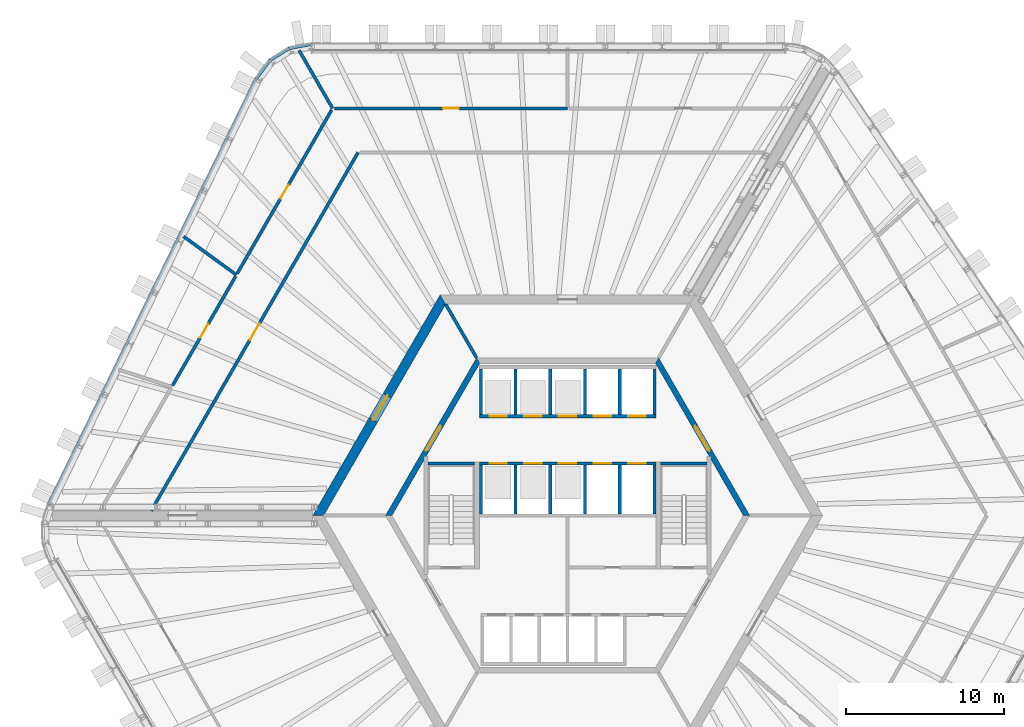
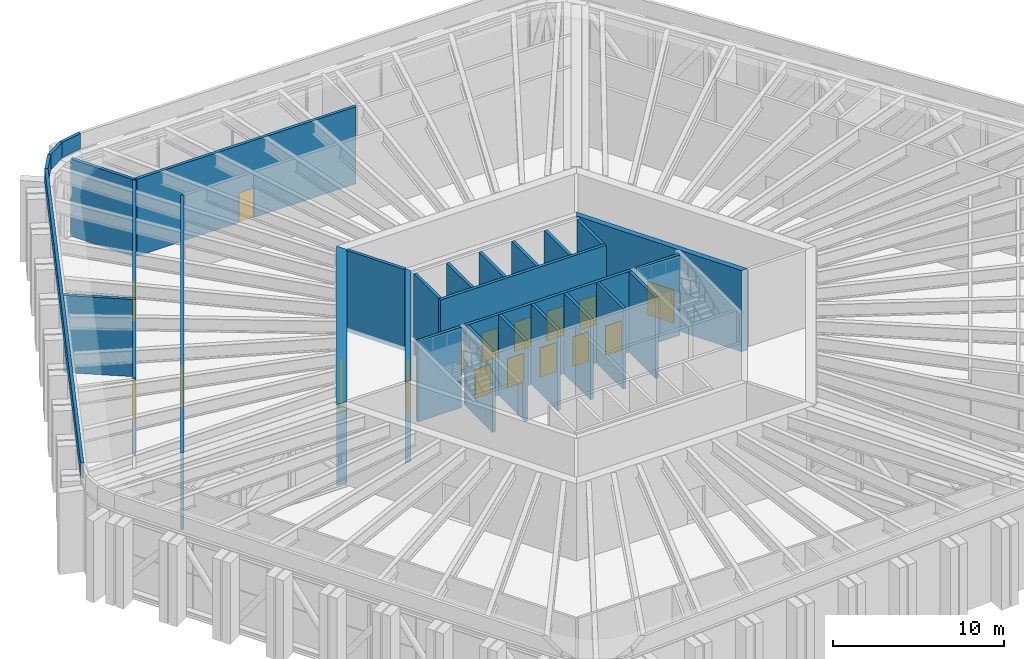
# One storey, part 15 of 27: 30 walls, 17 doors, 17 openings.
"""IFC4 building model written with IfcOpenShell, lengths in metres."""

from ifc_helpers import new_model, si_unit, direction, frame, frame_2d, origin, place, context, subcontext, project, spatial, polyline, rectangle, outline, extrude, material, layer, layer_set, type_object, element, fill, save


model = new_model("IFC4")

# Units and contexts
model_context = context("Model", 3, precision=1e-05, world=origin(), true_north=direction((0.0, 1.0)))
body_context = subcontext(model_context, "Body", "Model", "MODEL_VIEW")
ifc_project = project(units=[si_unit("LENGTHUNIT", "METRE"), si_unit("AREAUNIT", "SQUARE_METRE"), si_unit("VOLUMEUNIT", "CUBIC_METRE"), si_unit("PLANEANGLEUNIT", "RADIAN"), si_unit("MASSUNIT", "GRAM", prefix="KILO")], contexts=[model_context])

# Site, building, storey
site_placement = place(None, origin())
site = spatial("IfcSite", under=ifc_project, at=site_placement, CompositionType="ELEMENT")
building_placement = place(site_placement, origin())
building = spatial("IfcBuilding", under=site, at=building_placement, Name="Tarnside Tower", CompositionType="ELEMENT")
storey_placement = place(building_placement, frame((0.0, 0.0, 146.699951171875)))
storey = spatial("IfcBuildingStorey", under=building, at=storey_placement, Name="L34", CompositionType="ELEMENT", Elevation=146.699951171875)

# Wall, opening, door
ifc_material_1 = material(Name="Concrete C50/60", Category="concrete")
ifc_layer_1 = layer(ifc_material_1, 0.35009765625)
ifc_layer_set_1 = layer_set([ifc_layer_1], Name="Core block wall 350 C50/60")
wall_type_1 = type_object("IfcWallType", Name="Core block wall 350 C50/60", PredefinedType="SHEAR", material=ifc_layer_set_1)
wall_1_placement = place(storey_placement, frame((-5.672607421875, 9.824951171875, -0.300048828125), z_axis=(0.0, 0.0, 1.0), x_axis=(-0.499995046907, -0.866028263435, 0.0)))
wall_1 = element("IfcWall", 1, at=wall_1_placement, inside=storey, type_object=wall_type_1, Name="L34 core block wall face 2", PredefinedType="SHEAR", context=body_context, shape_type="SweptSolid", body=[
    extrude(outline(polyline([(-0.10107421875, -0.175048828125), (11.44580078125, -0.175048828125), (11.24365234375, 0.175048828125), (0.10107421875, 0.175048828125), (-0.10107421875, -0.175048828125)])), origin(), (0.0, 0.0, 1.0), 5.800048828125),
])
opening_1_placement = place(wall_1_placement, frame((4.80126953125, 0.0, 0.300048828125)))
opening_1 = element("IfcOpeningElement", 2, at=opening_1_placement, cuts=wall_1, Name="Opening CD-LOB", PredefinedType="OPENING", context=body_context, shape_type="SweptSolid", body=[
    extrude(rectangle(XDim=1.800048828125, YDim=2.39990234375, at=frame_2d((0.89990234375, 1.199951171875))), frame((0.0, 0.18505859375, 0.0), z_axis=(0.0, -1.0, 0.0), x_axis=(1.0, 0.0, 0.0)), (0.0, 0.0, 1.0), 0.3701171875),
])
ifc_material_2 = material(Name="Steel fire door", Category="steel")
door_type_1 = type_object("IfcDoorType", Name="Lobby double door FD30S 1800x2400", OperationType="NOTDEFINED", PredefinedType="DOOR", material=ifc_material_2)
door_1_placement = place(opening_1_placement, origin())
door_1 = element("IfcDoor", 3, at=door_1_placement, inside=storey, type_object=door_type_1, Name="L34 lobby block door P1", OperationType="DOUBLE_DOOR_SINGLE_SWING", OverallHeight=2.39990234375, OverallWidth=1.800048828125, PredefinedType="DOOR", context=body_context, shape_type="SweptSolid", body=[
    extrude(rectangle(XDim=1.800048828125, YDim=2.39990234375, at=frame_2d((0.89990234375, 1.199951171875))), frame((0.0, 0.02490234375, 0.0), z_axis=(0.0, -1.0, 0.0), x_axis=(1.0, 0.0, 0.0)), (0.0, 0.0, 1.0), 0.050048828125),
])
fill(opening_1, door_1)

wall_2_placement = place(storey_placement, frame((11.344970703125, 0.0, -0.300048828125), z_axis=(0.0, 0.0, 1.0), x_axis=(-0.499995046907, 0.866028263435, 0.0)))
wall_2 = element("IfcWall", 4, at=wall_2_placement, inside=storey, type_object=wall_type_1, Name="L34 core block wall face 6", PredefinedType="SHEAR", context=body_context, shape_type="SweptSolid", body=[
    extrude(outline(polyline([(-0.10107421875, -0.175048828125), (11.44580078125, -0.175048828125), (11.24365234375, 0.175048828125), (0.10107421875, 0.175048828125), (-0.10107421875, -0.175048828125)])), origin(), (0.0, 0.0, 1.0), 5.800048828125),
])
opening_2_placement = place(wall_2_placement, frame((4.74365234375, 0.0, 0.300048828125)))
opening_2 = element("IfcOpeningElement", 5, at=opening_2_placement, cuts=wall_2, Name="Opening CD-LOB", PredefinedType="OPENING", context=body_context, shape_type="SweptSolid", body=[
    extrude(rectangle(XDim=1.800048828125, YDim=2.39990234375, at=frame_2d((0.89990234375, 1.199951171875))), frame((0.0, 0.18505859375, 0.0), z_axis=(0.0, -1.0, 0.0), x_axis=(1.0, 0.0, 0.0)), (0.0, 0.0, 1.0), 0.3701171875),
])
door_2_placement = place(opening_2_placement, origin())
door_2 = element("IfcDoor", 6, at=door_2_placement, inside=storey, type_object=door_type_1, Name="L34 lobby block door P2", OperationType="DOUBLE_DOOR_SINGLE_SWING", OverallHeight=2.39990234375, OverallWidth=1.800048828125, PredefinedType="DOOR", context=body_context, shape_type="SweptSolid", body=[
    extrude(rectangle(XDim=1.800048828125, YDim=2.39990234375, at=frame_2d((0.89990234375, 1.199951171875))), frame((0.0, 0.02490234375, 0.0), z_axis=(0.0, -1.0, 0.0), x_axis=(1.0, 0.0, 0.0)), (0.0, 0.0, 1.0), 0.050048828125),
])
fill(opening_2, door_2)

ifc_material_3 = material(Name="Concrete C80/95", Category="concrete")
ifc_layer_2 = layer(ifc_material_3, 0.60009765625)
ifc_layer_set_2 = layer_set([ifc_layer_2], Name="Core wall Z1 600 C80/95")
wall_type_2 = type_object("IfcWallType", Name="Core wall Z1 600 C80/95", PredefinedType="SHEAR", material=ifc_layer_set_2)
wall_3_placement = place(storey_placement, frame((-7.90966796875, 13.699951171875, -0.300048828125), z_axis=(0.0, 0.0, 1.0), x_axis=(-0.499999880136, -0.866025472988, 0.0)))
wall_3 = element("IfcWall", 7, at=wall_3_placement, inside=storey, type_object=wall_type_2, Name="L34 core wall face 2", PredefinedType="SHEAR", context=body_context, shape_type="SweptSolid", body=[
    extrude(outline(polyline([(-0.17333984375, -0.300048828125), (15.99267578125, -0.300048828125), (15.64599609375, 0.300048828125), (0.17333984375, 0.300048828125), (-0.17333984375, -0.300048828125)])), origin(), (0.0, 0.0, 1.0), 5.800048828125),
])
opening_3_placement = place(wall_3_placement, frame((7.03857421875, 0.0, 0.300048828125)))
opening_3 = element("IfcOpeningElement", 8, at=opening_3_placement, cuts=wall_3, Name="Opening CD-LOB", PredefinedType="OPENING", context=body_context, shape_type="SweptSolid", body=[
    extrude(rectangle(XDim=1.800048828125, YDim=2.39990234375, at=frame_2d((0.89990234375, 1.199951171875))), frame((0.0, 0.31005859375, 0.0), z_axis=(0.0, -1.0, 0.0), x_axis=(1.0, 0.0, 0.0)), (0.0, 0.0, 1.0), 0.6201171875),
])
door_3_placement = place(opening_3_placement, origin())
door_3 = element("IfcDoor", 9, at=door_3_placement, inside=storey, type_object=door_type_1, Name="L34 core door P1", OperationType="DOUBLE_DOOR_SINGLE_SWING", OverallHeight=2.39990234375, OverallWidth=1.800048828125, PredefinedType="DOOR", context=body_context, shape_type="SweptSolid", body=[
    extrude(rectangle(XDim=1.800048828125, YDim=2.39990234375, at=frame_2d((0.89990234375, 1.199951171875))), frame((0.0, 0.02490234375, 0.0), z_axis=(0.0, -1.0, 0.0), x_axis=(1.0, 0.0, 0.0)), (0.0, 0.0, 1.0), 0.050048828125),
])
fill(opening_3, door_3)

# Wall, openings, doors
ifc_material_4 = material(Name="Concrete C40/50", Category="concrete")
ifc_layer_3 = layer(ifc_material_4, 0.199951171875)
ifc_layer_set_3 = layer_set([ifc_layer_3], Name="Lift shaft wall 200 C40/50")
wall_type_3 = type_object("IfcWallType", Name="Lift shaft wall 200 C40/50", PredefinedType="SHEAR", material=ifc_layer_set_3)
wall_4_placement = place(storey_placement, frame((-5.60009765625, 6.300048828125, -0.25), z_axis=(0.0, 0.0, 1.0), x_axis=(1.0, 0.0, 0.0)))
wall_4 = element("IfcWall", 10, at=wall_4_placement, inside=storey, type_object=wall_type_3, Name="L34 lift shaft front wall R1", PredefinedType="SHEAR", context=body_context, shape_type="SweptSolid", body=[
    extrude(rectangle(XDim=11.2001953125, YDim=0.199951171875, at=frame_2d((5.60009765625, 0.0))), origin(), (0.0, 0.0, 1.0), 5.75),
])
opening_4_placement = place(wall_4_placement, frame((0.64990234375, 0.0, 0.25)))
opening_4 = element("IfcOpeningElement", 11, at=opening_4_placement, cuts=wall_4, Name="Opening LD", PredefinedType="OPENING", context=body_context, shape_type="SweptSolid", body=[
    extrude(rectangle(XDim=1.10009765625, YDim=2.10009765625, at=frame_2d((0.550048828125, 1.050048828125))), frame((0.0, 0.10986328125, 0.0), z_axis=(0.0, -1.0, 0.0), x_axis=(1.0, 0.0, 0.0)), (0.0, 0.0, 1.0), 0.219970703125),
])
opening_5_placement = place(wall_4_placement, frame((2.85009765625, 0.0, 0.25)))
opening_5 = element("IfcOpeningElement", 12, at=opening_5_placement, cuts=wall_4, Name="Opening LD", PredefinedType="OPENING", context=body_context, shape_type="SweptSolid", body=[
    extrude(rectangle(XDim=1.10009765625, YDim=2.10009765625, at=frame_2d((0.550048828125, 1.050048828125))), frame((0.0, 0.10986328125, 0.0), z_axis=(0.0, -1.0, 0.0), x_axis=(1.0, 0.0, 0.0)), (0.0, 0.0, 1.0), 0.219970703125),
])
opening_6_placement = place(wall_4_placement, frame((5.050048828125, 0.0, 0.25)))
opening_6 = element("IfcOpeningElement", 13, at=opening_6_placement, cuts=wall_4, Name="Opening LD", PredefinedType="OPENING", context=body_context, shape_type="SweptSolid", body=[
    extrude(rectangle(XDim=1.10009765625, YDim=2.10009765625, at=frame_2d((0.550048828125, 1.050048828125))), frame((0.0, 0.10986328125, 0.0), z_axis=(0.0, -1.0, 0.0), x_axis=(1.0, 0.0, 0.0)), (0.0, 0.0, 1.0), 0.219970703125),
])
opening_7_placement = place(wall_4_placement, frame((7.25, 0.0, 0.25)))
opening_7 = element("IfcOpeningElement", 14, at=opening_7_placement, cuts=wall_4, Name="Opening LD", PredefinedType="OPENING", context=body_context, shape_type="SweptSolid", body=[
    extrude(rectangle(XDim=1.10009765625, YDim=2.10009765625, at=frame_2d((0.550048828125, 1.050048828125))), frame((0.0, 0.10986328125, 0.0), z_axis=(0.0, -1.0, 0.0), x_axis=(1.0, 0.0, 0.0)), (0.0, 0.0, 1.0), 0.219970703125),
])
opening_8_placement = place(wall_4_placement, frame((9.449951171875, 0.0, 0.25)))
opening_8 = element("IfcOpeningElement", 15, at=opening_8_placement, cuts=wall_4, Name="Opening LD", PredefinedType="OPENING", context=body_context, shape_type="SweptSolid", body=[
    extrude(rectangle(XDim=1.10009765625, YDim=2.10009765625, at=frame_2d((0.550048828125, 1.050048828125))), frame((0.0, 0.10986328125, 0.0), z_axis=(0.0, -1.0, 0.0), x_axis=(1.0, 0.0, 0.0)), (0.0, 0.0, 1.0), 0.219970703125),
])
ifc_material_5 = material(Name="Stainless steel", Category="steel")
door_type_2 = type_object("IfcDoorType", Name="Lift landing door 1100x2100", OperationType="NOTDEFINED", PredefinedType="DOOR", material=ifc_material_5)
door_4_placement = place(opening_4_placement, origin())
door_4 = element("IfcDoor", 16, at=door_4_placement, inside=storey, type_object=door_type_2, Name="Mid-rise lift 1 landing door L34", OperationType="SLIDING_TO_LEFT", OverallHeight=2.10009765625, OverallWidth=1.10009765625, PredefinedType="DOOR", context=body_context, shape_type="SweptSolid", body=[
    extrude(rectangle(XDim=1.10009765625, YDim=2.10009765625, at=frame_2d((0.550048828125, 1.050048828125))), frame((0.0, 0.02490234375, 0.0), z_axis=(0.0, -1.0, 0.0), x_axis=(1.0, 0.0, 0.0)), (0.0, 0.0, 1.0), 0.050048828125),
])
fill(opening_4, door_4)
door_5_placement = place(opening_5_placement, origin())
door_5 = element("IfcDoor", 17, at=door_5_placement, inside=storey, type_object=door_type_2, Name="Mid-rise lift 2 landing door L34", OperationType="SLIDING_TO_LEFT", OverallHeight=2.10009765625, OverallWidth=1.10009765625, PredefinedType="DOOR", context=body_context, shape_type="SweptSolid", body=[
    extrude(rectangle(XDim=1.10009765625, YDim=2.10009765625, at=frame_2d((0.550048828125, 1.050048828125))), frame((0.0, 0.02490234375, 0.0), z_axis=(0.0, -1.0, 0.0), x_axis=(1.0, 0.0, 0.0)), (0.0, 0.0, 1.0), 0.050048828125),
])
fill(opening_5, door_5)
door_6_placement = place(opening_6_placement, origin())
door_6 = element("IfcDoor", 18, at=door_6_placement, inside=storey, type_object=door_type_2, Name="Mid-rise lift 3 landing door L34", OperationType="SLIDING_TO_LEFT", OverallHeight=2.10009765625, OverallWidth=1.10009765625, PredefinedType="DOOR", context=body_context, shape_type="SweptSolid", body=[
    extrude(rectangle(XDim=1.10009765625, YDim=2.10009765625, at=frame_2d((0.550048828125, 1.050048828125))), frame((0.0, 0.02490234375, 0.0), z_axis=(0.0, -1.0, 0.0), x_axis=(1.0, 0.0, 0.0)), (0.0, 0.0, 1.0), 0.050048828125),
])
fill(opening_6, door_6)
door_7_placement = place(opening_7_placement, origin())
door_7 = element("IfcDoor", 19, at=door_7_placement, inside=storey, type_object=door_type_2, Name="Low sky-lobby shuttle 1 landing door L34", OperationType="SLIDING_TO_LEFT", OverallHeight=2.10009765625, OverallWidth=1.10009765625, PredefinedType="DOOR", context=body_context, shape_type="SweptSolid", body=[
    extrude(rectangle(XDim=1.10009765625, YDim=2.10009765625, at=frame_2d((0.550048828125, 1.050048828125))), frame((0.0, 0.02490234375, 0.0), z_axis=(0.0, -1.0, 0.0), x_axis=(1.0, 0.0, 0.0)), (0.0, 0.0, 1.0), 0.050048828125),
])
fill(opening_7, door_7)
door_8_placement = place(opening_8_placement, origin())
door_8 = element("IfcDoor", 20, at=door_8_placement, inside=storey, type_object=door_type_2, Name="Low sky-lobby shuttle 2 landing door L34", OperationType="SLIDING_TO_LEFT", OverallHeight=2.10009765625, OverallWidth=1.10009765625, PredefinedType="DOOR", context=body_context, shape_type="SweptSolid", body=[
    extrude(rectangle(XDim=1.10009765625, YDim=2.10009765625, at=frame_2d((0.550048828125, 1.050048828125))), frame((0.0, 0.02490234375, 0.0), z_axis=(0.0, -1.0, 0.0), x_axis=(1.0, 0.0, 0.0)), (0.0, 0.0, 1.0), 0.050048828125),
])
fill(opening_8, door_8)

# Walls
for number, where, z_axis, x_axis, name in (
    (21, (-5.5, 6.39990234375, -0.25), (0.0, 0.0, 1.0), (0.0, 1.0, 0.0), "L34 lift shaft partition R11"),
    (22, (-3.300048828125, 6.39990234375, -0.25), (0.0, 0.0, 1.0), (0.0, 1.0, 0.0), "L34 lift shaft partition R12"),
    (23, (-1.10009765625, 6.39990234375, -0.25), (0.0, 0.0, 1.0), (0.0, 1.0, 0.0), "L34 lift shaft partition R13"),
    (24, (1.10009765625, 6.39990234375, -0.25), (0.0, 0.0, 1.0), (0.0, 1.0, 0.0), "L34 lift shaft partition R14"),
    (25, (3.300048828125, 6.39990234375, -0.25), (0.0, 0.0, 1.0), (0.0, 1.0, 0.0), "L34 lift shaft partition R15"),
    (26, (5.5, 6.39990234375, -0.25), (0.0, 0.0, 1.0), (0.0, 1.0, 0.0), "L34 lift shaft partition R16"),
):
    element("IfcWall", number, at=place(storey_placement, frame(where, z_axis=z_axis, x_axis=x_axis)), inside=storey, type_object=wall_type_3, Name=name, PredefinedType="SHEAR", context=body_context, shape_type="SweptSolid", body=[
        extrude(rectangle(XDim=2.900146484375, YDim=0.199951171875, at=frame_2d((1.4501953125, 0.0))), origin(), (0.0, 0.0, 1.0), 5.75),
    ])

# Wall, openings, doors
wall_5_placement = place(storey_placement, frame((-5.60009765625, 3.300048828125, -0.25), z_axis=(0.0, 0.0, 1.0), x_axis=(1.0, 0.0, 0.0)))
wall_5 = element("IfcWall", 27, at=wall_5_placement, inside=storey, type_object=wall_type_3, Name="L34 lift shaft front wall R2", PredefinedType="SHEAR", context=body_context, shape_type="SweptSolid", body=[
    extrude(rectangle(XDim=11.2001953125, YDim=0.199951171875, at=frame_2d((5.60009765625, 0.0))), origin(), (0.0, 0.0, 1.0), 5.75),
])
opening_9_placement = place(wall_5_placement, frame((0.64990234375, 0.0, 0.25)))
opening_9 = element("IfcOpeningElement", 28, at=opening_9_placement, cuts=wall_5, Name="Opening LD", PredefinedType="OPENING", context=body_context, shape_type="SweptSolid", body=[
    extrude(rectangle(XDim=1.10009765625, YDim=2.10009765625, at=frame_2d((0.550048828125, 1.050048828125))), frame((0.0, 0.10986328125, 0.0), z_axis=(0.0, -1.0, 0.0), x_axis=(1.0, 0.0, 0.0)), (0.0, 0.0, 1.0), 0.219970703125),
])
opening_10_placement = place(wall_5_placement, frame((2.85009765625, 0.0, 0.25)))
opening_10 = element("IfcOpeningElement", 29, at=opening_10_placement, cuts=wall_5, Name="Opening LD", PredefinedType="OPENING", context=body_context, shape_type="SweptSolid", body=[
    extrude(rectangle(XDim=1.10009765625, YDim=2.10009765625, at=frame_2d((0.550048828125, 1.050048828125))), frame((0.0, 0.10986328125, 0.0), z_axis=(0.0, -1.0, 0.0), x_axis=(1.0, 0.0, 0.0)), (0.0, 0.0, 1.0), 0.219970703125),
])
opening_11_placement = place(wall_5_placement, frame((5.050048828125, 0.0, 0.25)))
opening_11 = element("IfcOpeningElement", 30, at=opening_11_placement, cuts=wall_5, Name="Opening LD", PredefinedType="OPENING", context=body_context, shape_type="SweptSolid", body=[
    extrude(rectangle(XDim=1.10009765625, YDim=2.10009765625, at=frame_2d((0.550048828125, 1.050048828125))), frame((0.0, 0.10986328125, 0.0), z_axis=(0.0, -1.0, 0.0), x_axis=(1.0, 0.0, 0.0)), (0.0, 0.0, 1.0), 0.219970703125),
])
opening_12_placement = place(wall_5_placement, frame((7.25, 0.0, 0.25)))
opening_12 = element("IfcOpeningElement", 31, at=opening_12_placement, cuts=wall_5, Name="Opening LD", PredefinedType="OPENING", context=body_context, shape_type="SweptSolid", body=[
    extrude(rectangle(XDim=1.10009765625, YDim=2.10009765625, at=frame_2d((0.550048828125, 1.050048828125))), frame((0.0, 0.10986328125, 0.0), z_axis=(0.0, -1.0, 0.0), x_axis=(1.0, 0.0, 0.0)), (0.0, 0.0, 1.0), 0.219970703125),
])
opening_13_placement = place(wall_5_placement, frame((9.449951171875, 0.0, 0.25)))
opening_13 = element("IfcOpeningElement", 32, at=opening_13_placement, cuts=wall_5, Name="Opening LD", PredefinedType="OPENING", context=body_context, shape_type="SweptSolid", body=[
    extrude(rectangle(XDim=1.10009765625, YDim=2.10009765625, at=frame_2d((0.550048828125, 1.050048828125))), frame((0.0, 0.10986328125, 0.0), z_axis=(0.0, -1.0, 0.0), x_axis=(1.0, 0.0, 0.0)), (0.0, 0.0, 1.0), 0.219970703125),
])
door_9_placement = place(opening_9_placement, origin())
door_9 = element("IfcDoor", 33, at=door_9_placement, inside=storey, type_object=door_type_2, Name="Mid-rise lift 4 landing door L34", OperationType="SLIDING_TO_LEFT", OverallHeight=2.10009765625, OverallWidth=1.10009765625, PredefinedType="DOOR", context=body_context, shape_type="SweptSolid", body=[
    extrude(rectangle(XDim=1.10009765625, YDim=2.10009765625, at=frame_2d((0.550048828125, 1.050048828125))), frame((0.0, 0.02490234375, 0.0), z_axis=(0.0, -1.0, 0.0), x_axis=(1.0, 0.0, 0.0)), (0.0, 0.0, 1.0), 0.050048828125),
])
fill(opening_9, door_9)
door_10_placement = place(opening_10_placement, origin())
door_10 = element("IfcDoor", 34, at=door_10_placement, inside=storey, type_object=door_type_2, Name="Mid-rise lift 5 landing door L34", OperationType="SLIDING_TO_LEFT", OverallHeight=2.10009765625, OverallWidth=1.10009765625, PredefinedType="DOOR", context=body_context, shape_type="SweptSolid", body=[
    extrude(rectangle(XDim=1.10009765625, YDim=2.10009765625, at=frame_2d((0.550048828125, 1.050048828125))), frame((0.0, 0.02490234375, 0.0), z_axis=(0.0, -1.0, 0.0), x_axis=(1.0, 0.0, 0.0)), (0.0, 0.0, 1.0), 0.050048828125),
])
fill(opening_10, door_10)
door_11_placement = place(opening_11_placement, origin())
door_11 = element("IfcDoor", 35, at=door_11_placement, inside=storey, type_object=door_type_2, Name="Mid-rise lift 6 landing door L34", OperationType="SLIDING_TO_LEFT", OverallHeight=2.10009765625, OverallWidth=1.10009765625, PredefinedType="DOOR", context=body_context, shape_type="SweptSolid", body=[
    extrude(rectangle(XDim=1.10009765625, YDim=2.10009765625, at=frame_2d((0.550048828125, 1.050048828125))), frame((0.0, 0.02490234375, 0.0), z_axis=(0.0, -1.0, 0.0), x_axis=(1.0, 0.0, 0.0)), (0.0, 0.0, 1.0), 0.050048828125),
])
fill(opening_11, door_11)
door_12_placement = place(opening_12_placement, origin())
door_12 = element("IfcDoor", 36, at=door_12_placement, inside=storey, type_object=door_type_2, Name="High sky-lobby shuttle 1 landing door L34", OperationType="SLIDING_TO_LEFT", OverallHeight=2.10009765625, OverallWidth=1.10009765625, PredefinedType="DOOR", context=body_context, shape_type="SweptSolid", body=[
    extrude(rectangle(XDim=1.10009765625, YDim=2.10009765625, at=frame_2d((0.550048828125, 1.050048828125))), frame((0.0, 0.02490234375, 0.0), z_axis=(0.0, -1.0, 0.0), x_axis=(1.0, 0.0, 0.0)), (0.0, 0.0, 1.0), 0.050048828125),
])
fill(opening_12, door_12)
door_13_placement = place(opening_13_placement, origin())
door_13 = element("IfcDoor", 37, at=door_13_placement, inside=storey, type_object=door_type_2, Name="Express sky-lobby shuttle 2 landing door L34", OperationType="SLIDING_TO_LEFT", OverallHeight=2.10009765625, OverallWidth=1.10009765625, PredefinedType="DOOR", context=body_context, shape_type="SweptSolid", body=[
    extrude(rectangle(XDim=1.10009765625, YDim=2.10009765625, at=frame_2d((0.550048828125, 1.050048828125))), frame((0.0, 0.02490234375, 0.0), z_axis=(0.0, -1.0, 0.0), x_axis=(1.0, 0.0, 0.0)), (0.0, 0.0, 1.0), 0.050048828125),
])
fill(opening_13, door_13)

# Walls
for number, where, z_axis, x_axis, name in (
    (38, (-5.5, 0.10009765625, -0.25), (0.0, 0.0, 1.0), (0.0, 1.0, 0.0), "L34 lift shaft partition R21"),
    (39, (-3.300048828125, 0.10009765625, -0.25), (0.0, 0.0, 1.0), (0.0, 1.0, 0.0), "L34 lift shaft partition R22"),
    (40, (-1.10009765625, 0.10009765625, -0.25), (0.0, 0.0, 1.0), (0.0, 1.0, 0.0), "L34 lift shaft partition R23"),
    (41, (1.10009765625, 0.10009765625, -0.25), (0.0, 0.0, 1.0), (0.0, 1.0, 0.0), "L34 lift shaft partition R24"),
    (42, (3.300048828125, 0.10009765625, -0.25), (0.0, 0.0, 1.0), (0.0, 1.0, 0.0), "L34 lift shaft partition R25"),
    (43, (5.5, 0.10009765625, -0.25), (0.0, 0.0, 1.0), (0.0, 1.0, 0.0), "L34 lift shaft partition R26"),
):
    element("IfcWall", number, at=place(storey_placement, frame(where, z_axis=z_axis, x_axis=x_axis)), inside=storey, type_object=wall_type_3, Name=name, PredefinedType="SHEAR", context=body_context, shape_type="SweptSolid", body=[
        extrude(rectangle(XDim=3.099853515625, YDim=0.199951171875, at=frame_2d((1.5498046875, 0.0))), origin(), (0.0, 0.0, 1.0), 5.75),
    ])
wall_6_placement = place(storey_placement, frame((-5.7734375, 10.0, -0.300048828125), z_axis=(0.0, 0.0, 1.0), x_axis=(-0.500038251005, 0.86600331843, 0.0)))
element("IfcWall", 44, at=wall_6_placement, inside=storey, type_object=wall_type_3, Name="L34 core partition AR120", PredefinedType="SHEAR", context=body_context, shape_type="SweptSolid", body=[
    extrude(rectangle(XDim=3.926025390625, YDim=0.199951171875, at=frame_2d((1.962890625, 0.0))), origin(), (0.0, 0.0, 1.0), 5.800048828125),
])
for number, where, z_axis, x_axis, name in (
    (45, (5.89990234375, 3.300048828125, -0.25), (0.0, 0.0, 1.0), (1.0, 0.0, 0.0), "L34 stair 1 enclosure cap wall n"),
    (46, (-8.85009765625, 3.300048828125, -0.25), (0.0, 0.0, 1.0), (1.0, 0.0, 0.0), "L34 stair 2 enclosure cap wall n"),
):
    element("IfcWall", number, at=place(storey_placement, frame(where, z_axis=z_axis, x_axis=x_axis)), inside=storey, type_object=wall_type_3, Name=name, PredefinedType="SHEAR", context=body_context, shape_type="SweptSolid", body=[
        extrude(rectangle(XDim=2.9501953125, YDim=0.199951171875, at=frame_2d((1.47509765625, 0.0))), origin(), (0.0, 0.0, 1.0), 5.75),
    ])
ifc_material_6 = material(Name="Concrete C35/45 precast", Category="concrete")
ifc_layer_4 = layer(ifc_material_6, 0.199951171875)
ifc_layer_set_4 = layer_set([ifc_layer_4], Name="Parapet 200 x 1100")
wall_type_4 = type_object("IfcWallType", Name="Parapet 200 x 1100", PredefinedType="PARAPET", material=ifc_layer_set_4)
wall_7_placement = place(storey_placement, frame((-32.9306640625, 0.689208984375, 5.699951171875), z_axis=(0.0, 0.0, 1.0), x_axis=(0.438369694316, 0.898794754716, 0.0)))
element("IfcWall", 47, at=wall_7_placement, inside=storey, type_object=wall_type_4, Name="Roof parapet 20", PredefinedType="PARAPET", context=body_context, shape_type="SweptSolid", body=[
    extrude(outline(polyline([(0.008056640625, -0.10009765625), (30.044189453125, -0.10009765625), (30.062744140625, 0.10009765625), (-0.008056640625, 0.10009765625), (0.008056640625, -0.10009765625)])), origin(), (0.0, 0.0, 1.0), 1.10009765625),
])
wall_8_placement = place(storey_placement, frame((-19.756103515625, 27.701171875, 5.699951171875), z_axis=(0.0, 0.0, 1.0), x_axis=(0.597118923952, 0.802152722777, 0.0)))
element("IfcWall", 48, at=wall_8_placement, inside=storey, type_object=wall_type_4, Name="Roof parapet 21", PredefinedType="PARAPET", context=body_context, shape_type="SweptSolid", body=[
    extrude(outline(polyline([(0.00927734375, -0.10009765625), (1.433837890625, -0.10009765625), (1.471435546875, 0.10009765625), (-0.00927734375, 0.10009765625), (0.00927734375, -0.10009765625)])), origin(), (0.0, 0.0, 1.0), 1.10009765625),
])
wall_9_placement = place(storey_placement, frame((-18.888671875, 28.866455078125, 5.699951171875), z_axis=(0.0, 0.0, 1.0), x_axis=(0.848083831846, 0.529862070884, 0.0)))
element("IfcWall", 49, at=wall_9_placement, inside=storey, type_object=wall_type_4, Name="Roof parapet 22", PredefinedType="PARAPET", context=body_context, shape_type="SweptSolid", body=[
    extrude(outline(polyline([(0.018798828125, -0.10009765625), (1.42431640625, -0.10009765625), (1.4619140625, 0.10009765625), (-0.018798828125, 0.10009765625), (0.018798828125, -0.10009765625)])), origin(), (0.0, 0.0, 1.0), 1.10009765625),
])
wall_10_placement = place(storey_placement, frame((-17.664794921875, 29.631103515625, 5.699951171875), z_axis=(0.0, 0.0, 1.0), x_axis=(0.982729187844, 0.185049570005, 0.0)))
element("IfcWall", 50, at=wall_10_placement, inside=storey, type_object=wall_type_4, Name="Roof parapet 23", PredefinedType="PARAPET", context=body_context, shape_type="SweptSolid", body=[
    extrude(outline(polyline([(0.018798828125, -0.10009765625), (1.443359375, -0.10009765625), (1.4619140625, 0.10009765625), (-0.018798828125, 0.10009765625), (0.018798828125, -0.10009765625)])), origin(), (0.0, 0.0, 1.0), 1.10009765625),
])
ifc_material_7 = material(Name="Concrete C32/40", Category="concrete")
ifc_layer_5 = layer(ifc_material_7, 0.199951171875)
ifc_layer_set_5 = layer_set([ifc_layer_5], Name="Wall 200 reinforced Concrete C32/40")
wall_type_5 = type_object("IfcWallType", Name="Wall 200 reinforced Concrete C32/40", PredefinedType="PARTITIONING", material=ifc_layer_set_5)
wall_11_placement = place(storey_placement, frame((-24.354736328125, 17.694580078125, 0.0), z_axis=(0.0, 0.0, 1.0), x_axis=(0.809011281795, -0.587793114904, 0.0)))
element("IfcWall", 51, at=wall_11_placement, inside=storey, type_object=wall_type_5, Name="Partition 003", PredefinedType="PARTITIONING", context=body_context, shape_type="SweptSolid", body=[
    extrude(rectangle(XDim=4.141845703125, YDim=0.199951171875, at=frame_2d((2.07080078125, 0.0))), origin(), (0.0, 0.0, 1.0), 5.5),
])

# Wall, opening, door
wall_12_placement = place(storey_placement, frame((-25.053955078125, 8.24560546875, 0.0), z_axis=(0.0, 0.0, 1.0), x_axis=(0.50002892151, 0.866008705299, 0.0)))
wall_12 = element("IfcWall", 52, at=wall_12_placement, inside=storey, type_object=wall_type_5, Name="Partition 006", PredefinedType="PARTITIONING", context=body_context, shape_type="SweptSolid", body=[
    extrude(rectangle(XDim=7.9990234375, YDim=0.199951171875, at=frame_2d((3.99951171875, 0.0))), origin(), (0.0, 0.0, 1.0), 5.5),
])
opening_14_placement = place(wall_12_placement, frame((3.49951171875, 0.0, 0.0)))
opening_14 = element("IfcOpeningElement", 53, at=opening_14_placement, cuts=wall_12, Name="Opening D1000F60", PredefinedType="OPENING", context=body_context, shape_type="SweptSolid", body=[
    extrude(rectangle(XDim=1.0, YDim=2.10009765625, at=frame_2d((0.5, 1.050048828125))), frame((0.0, 0.10986328125, 0.0), z_axis=(0.0, -1.0, 0.0), x_axis=(1.0, 0.0, 0.0)), (0.0, 0.0, 1.0), 0.219970703125),
])
ifc_material_8 = material(Name="Timber door leaf", Category="wood")
door_type_3 = type_object("IfcDoorType", Name="Door 1000 x 2100 single leaf FD60 fire door", OperationType="NOTDEFINED", PredefinedType="DOOR", material=ifc_material_8)
door_14_placement = place(opening_14_placement, origin())
door_14 = element("IfcDoor", 54, at=door_14_placement, inside=storey, type_object=door_type_3, Name="Door L34-04", OperationType="SINGLE_SWING_LEFT", OverallHeight=2.10009765625, OverallWidth=1.0, PredefinedType="DOOR", context=body_context, shape_type="SweptSolid", body=[
    extrude(rectangle(XDim=1.0, YDim=2.10009765625, at=frame_2d((0.5, 1.050048828125))), frame((0.0, 0.02490234375, 0.0), z_axis=(0.0, -1.0, 0.0), x_axis=(1.0, 0.0, 0.0)), (0.0, 0.0, 1.0), 0.050048828125),
])
fill(opening_14, door_14)

# Wall
wall_13_placement = place(storey_placement, frame((-17.02587890625, 29.490234375, 0.0), z_axis=(0.0, 0.0, 1.0), x_axis=(0.49998675294, -0.866033051843, 0.0)))
element("IfcWall", 55, at=wall_13_placement, inside=storey, type_object=wall_type_5, Name="Partition 007", PredefinedType="PARTITIONING", context=body_context, shape_type="SweptSolid", body=[
    extrude(rectangle(XDim=4.23779296875, YDim=0.199951171875, at=frame_2d((2.118896484375, 0.0))), origin(), (0.0, 0.0, 1.0), 5.5),
])

# Wall, opening, door
wall_14_placement = place(storey_placement, frame((-20.95361328125, 15.34716796875, 0.0), z_axis=(0.0, 0.0, 1.0), x_axis=(0.500001820933, 0.866024352466, 0.0)))
wall_14 = element("IfcWall", 56, at=wall_14_placement, inside=storey, type_object=wall_type_5, Name="Partition 009", PredefinedType="PARTITIONING", context=body_context, shape_type="SweptSolid", body=[
    extrude(rectangle(XDim=11.9775390625, YDim=0.199951171875, at=frame_2d((5.98876953125, 0.0))), origin(), (0.0, 0.0, 1.0), 5.5),
])
opening_15_placement = place(wall_14_placement, frame((5.48876953125, 0.0, 0.0)))
opening_15 = element("IfcOpeningElement", 57, at=opening_15_placement, cuts=wall_14, Name="Opening D1000F60", PredefinedType="OPENING", context=body_context, shape_type="SweptSolid", body=[
    extrude(rectangle(XDim=1.0, YDim=2.10009765625, at=frame_2d((0.5, 1.050048828125))), frame((0.0, 0.10986328125, 0.0), z_axis=(0.0, -1.0, 0.0), x_axis=(1.0, 0.0, 0.0)), (0.0, 0.0, 1.0), 0.219970703125),
])
door_15_placement = place(opening_15_placement, origin())
door_15 = element("IfcDoor", 58, at=door_15_placement, inside=storey, type_object=door_type_3, Name="Door L34-05", OperationType="SINGLE_SWING_RIGHT", OverallHeight=2.10009765625, OverallWidth=1.0, PredefinedType="DOOR", context=body_context, shape_type="SweptSolid", body=[
    extrude(rectangle(XDim=1.0, YDim=2.10009765625, at=frame_2d((0.5, 1.050048828125))), frame((0.0, 0.02490234375, 0.0), z_axis=(0.0, -1.0, 0.0), x_axis=(1.0, 0.0, 0.0)), (0.0, 0.0, 1.0), 0.050048828125),
])
fill(opening_15, door_15)

wall_15_placement = place(storey_placement, frame((-13.291015625, 23.02001953125, 0.0), z_axis=(0.0, 0.0, 1.0), x_axis=(-0.499987482804, -0.86603263047, 0.0)))
wall_15 = element("IfcWall", 59, at=wall_15_placement, inside=storey, type_object=wall_type_5, Name="Partition 010", PredefinedType="PARTITIONING", context=body_context, shape_type="SweptSolid", body=[
    extrude(rectangle(XDim=26.234619140625, YDim=0.199951171875, at=frame_2d((13.1171875, 0.0))), origin(), (0.0, 0.0, 1.0), 5.5),
])
opening_16_placement = place(wall_15_placement, frame((12.517333984375, 0.0, 0.0)))
opening_16 = element("IfcOpeningElement", 60, at=opening_16_placement, cuts=wall_15, Name="Opening D1200F60", PredefinedType="OPENING", context=body_context, shape_type="SweptSolid", body=[
    extrude(rectangle(XDim=1.199951171875, YDim=2.10009765625, at=frame_2d((0.60009765625, 1.050048828125))), frame((0.0, 0.10986328125, 0.0), z_axis=(0.0, -1.0, 0.0), x_axis=(1.0, 0.0, 0.0)), (0.0, 0.0, 1.0), 0.219970703125),
])
door_type_4 = type_object("IfcDoorType", Name="Door 1200 x 2100 single leaf FD60 fire door", OperationType="NOTDEFINED", PredefinedType="DOOR", material=ifc_material_8)
door_16_placement = place(opening_16_placement, origin())
door_16 = element("IfcDoor", 61, at=door_16_placement, inside=storey, type_object=door_type_4, Name="Door L34-06", OperationType="SINGLE_SWING_LEFT", OverallHeight=2.10009765625, OverallWidth=1.199951171875, PredefinedType="DOOR", context=body_context, shape_type="SweptSolid", body=[
    extrude(rectangle(XDim=1.199951171875, YDim=2.10009765625, at=frame_2d((0.60009765625, 1.050048828125))), frame((0.0, 0.02490234375, 0.0), z_axis=(0.0, -1.0, 0.0), x_axis=(1.0, 0.0, 0.0)), (0.0, 0.0, 1.0), 0.050048828125),
])
fill(opening_16, door_16)

wall_16_placement = place(storey_placement, frame((-14.79150390625, 25.820068359375, 0.0), z_axis=(0.0, 0.0, 1.0), x_axis=(1.0, 0.0, 0.0)))
wall_16 = element("IfcWall", 62, at=wall_16_placement, inside=storey, type_object=wall_type_5, Name="Partition 013", PredefinedType="PARTITIONING", context=body_context, shape_type="SweptSolid", body=[
    extrude(rectangle(XDim=14.79150390625, YDim=0.199951171875, at=frame_2d((7.395751953125, 0.0))), origin(), (0.0, 0.0, 1.0), 5.5),
])
opening_17_placement = place(wall_16_placement, frame((6.895751953125, 0.0, 0.0)))
opening_17 = element("IfcOpeningElement", 63, at=opening_17_placement, cuts=wall_16, Name="Opening D1000F60", PredefinedType="OPENING", context=body_context, shape_type="SweptSolid", body=[
    extrude(rectangle(XDim=1.0, YDim=2.10009765625, at=frame_2d((0.5, 1.050048828125))), frame((0.0, 0.10986328125, 0.0), z_axis=(0.0, -1.0, 0.0), x_axis=(1.0, 0.0, 0.0)), (0.0, 0.0, 1.0), 0.219970703125),
])
door_17_placement = place(opening_17_placement, origin())
door_17 = element("IfcDoor", 64, at=door_17_placement, inside=storey, type_object=door_type_3, Name="Door L34-08", OperationType="SINGLE_SWING_LEFT", OverallHeight=2.10009765625, OverallWidth=1.0, PredefinedType="DOOR", context=body_context, shape_type="SweptSolid", body=[
    extrude(rectangle(XDim=1.0, YDim=2.10009765625, at=frame_2d((0.5, 1.050048828125))), frame((0.0, 0.02490234375, 0.0), z_axis=(0.0, -1.0, 0.0), x_axis=(1.0, 0.0, 0.0)), (0.0, 0.0, 1.0), 0.050048828125),
])
fill(opening_17, door_17)

save(model, "model.ifc")
